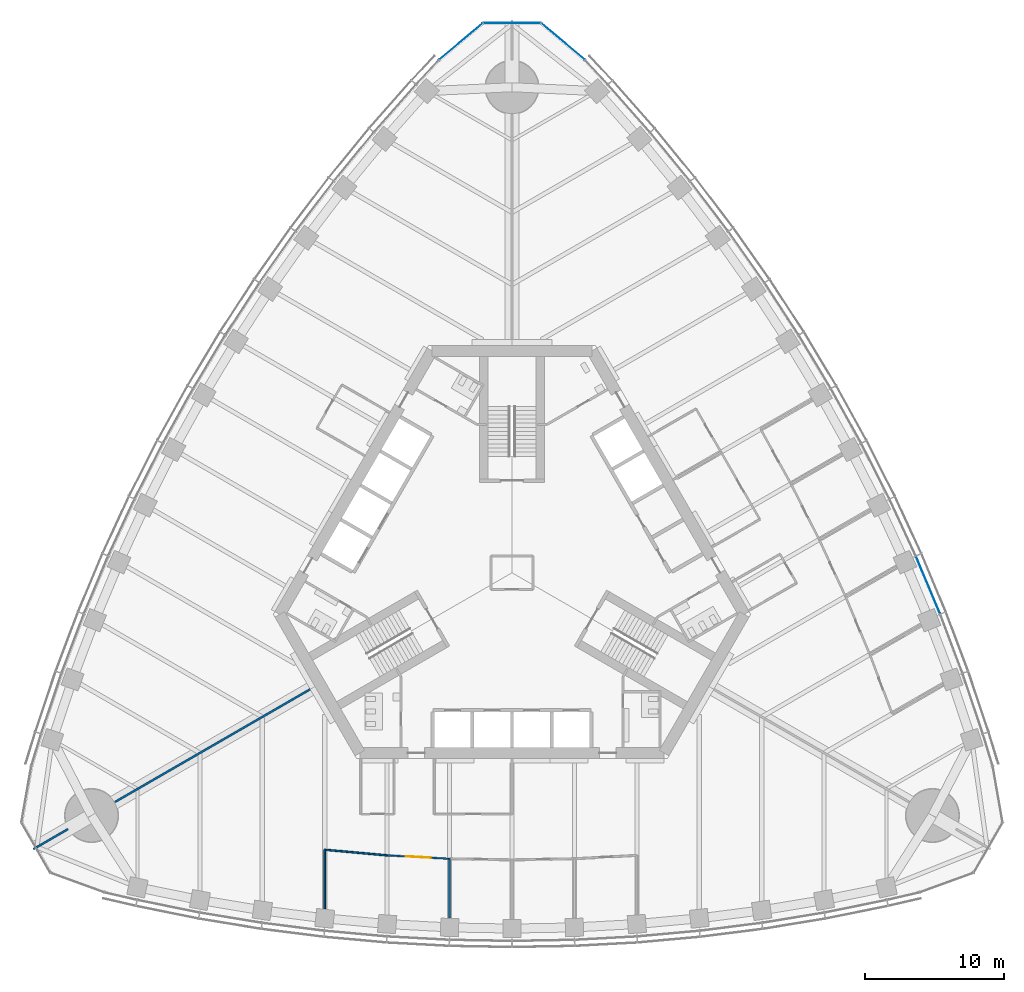
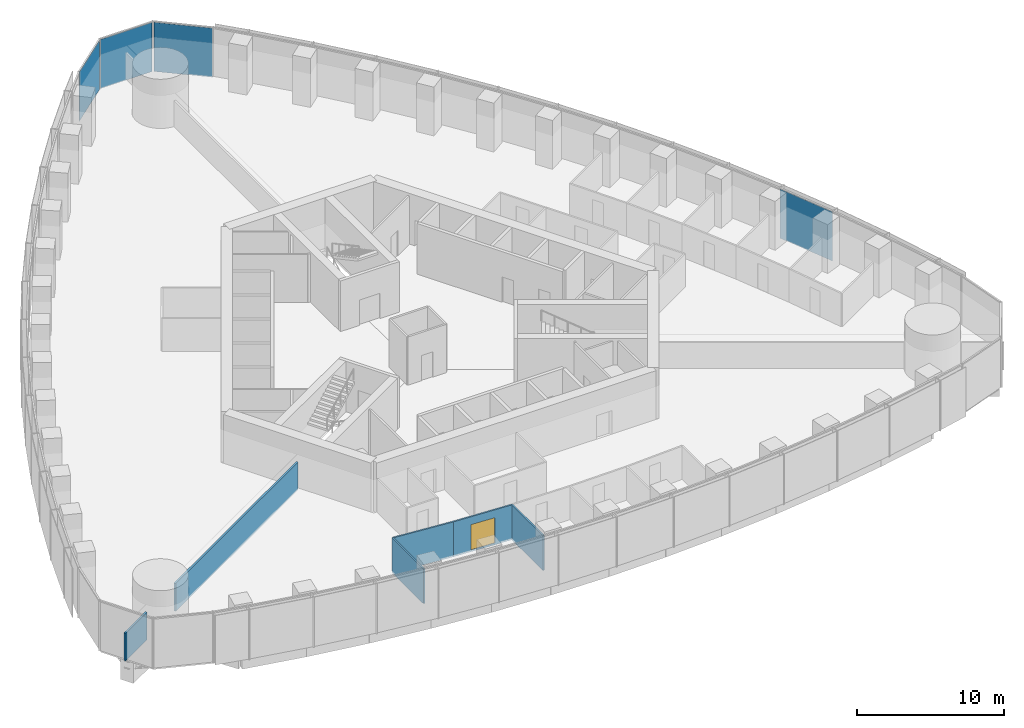
# One storey, part 11 of 19: 6 walls, 4 plates, 1 door, 1 opening, 2 elements without a shape of their own.
"""IFC4 building model written with IfcOpenShell, lengths in metres."""

import ifcopenshell
import ifcopenshell.guid

model = None  # the IFC model being written
_history = None  # IfcOwnerHistory: only IFC2X3 demands one
_inside = {}  # id of a spatial element -> (the spatial element, [elements in it])
_under = {}  # id of a project, library or spatial element -> (it, [spatial elements below it])
_declared = {}  # id of a project -> (the project, [libraries it declares])
_typed = {}  # id of a type object -> (the type object, [elements of that type])
_made_of = {}  # id of a material, layer set ... -> (it, [elements and type objects made of it])


def new_model(schema):
    """Start an empty IFC model of exactly this schema.

    Asked for "IFC4X3", IfcOpenShell would pick the latest addendum, in which some entities
    have other attributes; the version numbers below select the first issue.
    IFC2X3 requires an IfcOwnerHistory on every rooted entity: one is made here for all.
    """
    global model, _history
    if schema == "IFC4X3":
        model = ifcopenshell.file(schema_version=(4, 3, 0, 0))
    else:
        model = ifcopenshell.file(schema=schema)
    _inside.clear()
    _under.clear()
    _declared.clear()
    _typed.clear()
    _made_of.clear()
    _history = None
    if model.schema == "IFC2X3":
        org = make("IfcOrganization", Name="unknown")
        user = make(
            "IfcPersonAndOrganization",
            ThePerson=make("IfcPerson", FamilyName="unknown"),
            TheOrganization=org,
        )
        app = make(
            "IfcApplication",
            ApplicationDeveloper=org,
            Version="unknown",
            ApplicationFullName="unknown",
            ApplicationIdentifier="unknown",
        )
        _history = make(
            "IfcOwnerHistory",
            OwningUser=user,
            OwningApplication=app,
            ChangeAction="ADDED",
            CreationDate=0,
        )
    return model


def make(cls, **values):
    """One entity of the class cls with the attributes given. An attribute that is None is left unset."""
    return model.create_entity(
        cls, **{name: value for name, value in values.items() if value is not None}
    )


def rooted(cls, **values):
    """An entity with a GlobalId (a new one), such as an element, a storey or a relation."""
    return make(cls, GlobalId=ifcopenshell.guid.new(), OwnerHistory=_history, **values)


def si_unit(unit_type, name, prefix=None):
    """IfcSIUnit, for example si_unit("LENGTHUNIT", "METRE", prefix="MILLI")."""
    return make("IfcSIUnit", UnitType=unit_type, Prefix=prefix, Name=name)


def assignment(units):
    """IfcUnitAssignment: the units of a project."""
    return None if units is None else make("IfcUnitAssignment", Units=units)


def point(xyz):
    """IfcCartesianPoint."""
    return None if xyz is None else make("IfcCartesianPoint", Coordinates=xyz)


def direction(xyz):
    """IfcDirection."""
    return None if xyz is None else make("IfcDirection", DirectionRatios=xyz)


def frame(location, z_axis=None, x_axis=None):
    """IfcAxis2Placement3D, a coordinate frame: its origin and axes. An axis left out is left unset."""
    return make(
        "IfcAxis2Placement3D",
        Location=point(location),
        Axis=direction(z_axis),
        RefDirection=direction(x_axis),
    )


def frame_2d(location, x_axis=None):
    """IfcAxis2Placement2D, a coordinate frame in the plane: its origin and x axis."""
    return make(
        "IfcAxis2Placement2D", Location=point(location), RefDirection=direction(x_axis)
    )


def origin():
    """The frame at (0, 0, 0) with its axes left unset."""
    return frame((0.0, 0.0, 0.0))


def origin_2d():
    """The frame at (0, 0) in the plane with its x axis left unset."""
    return frame_2d((0.0, 0.0))


def place(relative_to, where):
    """IfcLocalPlacement: puts the frame where relative to a parent placement (None: the world)."""
    return make(
        "IfcLocalPlacement", PlacementRelTo=relative_to, RelativePlacement=where
    )


def context(
    kind, dimensions, precision=None, world=None, true_north=None, identifier=None
):
    """IfcGeometricRepresentationContext, for example the 3D "Model" context."""
    return make(
        "IfcGeometricRepresentationContext",
        ContextIdentifier=identifier,
        ContextType=kind,
        CoordinateSpaceDimension=dimensions,
        Precision=precision,
        WorldCoordinateSystem=world,
        TrueNorth=true_north,
    )


def subcontext(parent, identifier, kind, view, scale=None):
    """IfcGeometricRepresentationSubContext, for example "Body" below "Model"."""
    return make(
        "IfcGeometricRepresentationSubContext",
        ContextIdentifier=identifier,
        ContextType=kind,
        ParentContext=parent,
        TargetScale=scale,
        TargetView=view,
    )


def project(units=None, contexts=None):
    """IfcProject with its units and contexts."""
    return rooted(
        "IfcProject",
        Name="project",
        RepresentationContexts=contexts,
        UnitsInContext=assignment(units),
    )


def spatial(cls, under=None, at=None, **own):
    """A site, building, storey or space (cls), placed at a placement, below another one or the project."""
    s = rooted(cls, ObjectPlacement=at, **own)
    if under is not None:
        _under.setdefault(under.id(), (under, []))[1].append(s)
    return s


def profile(cls, at=None, kind="AREA", **sizes):
    """A parametric profile (cls). Its sizes go by their IFC names, for example OverallWidth=200.0."""
    return make(cls, ProfileType=kind, Position=at, **sizes)


def rectangle(**sizes):
    """IfcRectangleProfileDef."""
    return profile("IfcRectangleProfileDef", **sizes)


def extrude(swept, where, along, depth):
    """IfcExtrudedAreaSolid: the profile swept, set in the frame where, extruded along a direction by depth."""
    return make(
        "IfcExtrudedAreaSolid",
        SweptArea=swept,
        Position=where,
        ExtrudedDirection=direction(along),
        Depth=depth,
    )


def shape(context_of_items, identifier, shape_type, items):
    """IfcShapeRepresentation: the items that make up one representation, for example the "Body"."""
    return make(
        "IfcShapeRepresentation",
        ContextOfItems=context_of_items,
        RepresentationIdentifier=identifier,
        RepresentationType=shape_type,
        Items=items,
    )


def material(Name=None, Category=None):
    """IfcMaterial."""
    return make("IfcMaterial", Name=Name, Category=Category)


def layer(
    of_material, thickness, ventilated=None, Name=None, Category=None, Priority=None
):
    """IfcMaterialLayer: one layer of a wall or slab, of a material (None: an air gap)."""
    return make(
        "IfcMaterialLayer",
        Material=of_material,
        LayerThickness=thickness,
        IsVentilated=ventilated,
        Name=Name,
        Category=Category,
        Priority=Priority,
    )


def layer_set(layers, Name=None):
    """IfcMaterialLayerSet."""
    return make("IfcMaterialLayerSet", MaterialLayers=layers, LayerSetName=Name)


def made_of(thing, what):
    """Note that an element or type object is made of a material, layer set ...; save() writes the relation."""
    if what is not None:
        _made_of.setdefault(what.id(), (what, []))[1].append(thing)
    return thing


def type_object(cls, material=None, **own):
    """A type object (cls), such as IfcWallType, which elements share."""
    return made_of(rooted(cls, **own), material)


def element(
    cls,
    number,
    at=None,
    inside=None,
    cuts=None,
    type_object=None,
    material=None,
    context=None,
    identifier="Body",
    shape_type=None,
    held_by="IfcProductDefinitionShape",
    body=None,
    shapes=None,
    **own,
):
    """One element of the class cls, such as IfcWall. Its Tag is "e" and its number.

    at: its placement. inside: the storey or other place that contains it. cuts: it is an
    opening in that element (IfcRelVoidsElement). A single representation is given by context,
    identifier, shape_type and body (its items); several are given by shapes. held_by: the class
    of the entity that holds the representations. save() writes the other relations.
    """
    e = rooted(cls, Tag="e%d" % number, ObjectPlacement=at, **own)
    if body is not None:
        shapes = [shape(context, identifier, shape_type, body)]
    if shapes is not None:
        e.Representation = make(held_by, Representations=shapes)
    if inside is not None:
        _inside.setdefault(inside.id(), (inside, []))[1].append(e)
    if cuts is not None:
        rooted(
            "IfcRelVoidsElement", RelatingBuildingElement=cuts, RelatedOpeningElement=e
        )
    if type_object is not None:
        _typed.setdefault(type_object.id(), (type_object, []))[1].append(e)
    return made_of(e, material)


def fill(opening, filler):
    """IfcRelFillsElement: the door or window that sits in an opening."""
    return rooted(
        "IfcRelFillsElement",
        RelatingOpeningElement=opening,
        RelatedBuildingElement=filler,
    )


def aggregate(whole, parts):
    """IfcRelAggregates: a whole, such as a stair, and the parts it consists of."""
    return rooted("IfcRelAggregates", RelatingObject=whole, RelatedObjects=parts)


def save(model, path):
    """Write the relations noted so far, then the file.

    IfcRelAggregates (storeys below a building ...), IfcRelContainedInSpatialStructure (elements
    in a storey), IfcRelDefinesByType, IfcRelAssociatesMaterial and IfcRelDeclares: one each for
    every whole, place, type object, material and project.
    """
    for whole, parts in _under.values():
        aggregate(whole, parts)
    for where, things in _inside.values():
        rooted(
            "IfcRelContainedInSpatialStructure",
            RelatedElements=things,
            RelatingStructure=where,
        )
    for kind, things in _typed.values():
        rooted("IfcRelDefinesByType", RelatedObjects=things, RelatingType=kind)
    for what, things in _made_of.values():
        rooted("IfcRelAssociatesMaterial", RelatedObjects=things, RelatingMaterial=what)
    for by, libraries in _declared.values():
        rooted("IfcRelDeclares", RelatingContext=by, RelatedDefinitions=libraries)
    model.write(path)


model = new_model("IFC4")

# Units and contexts
model_context = context("Model", 3, precision=1e-05, world=origin(), true_north=direction((0.0, 1.0)))
body_context = subcontext(model_context, "Body", "Model", "MODEL_VIEW")
ifc_project = project(units=[si_unit("LENGTHUNIT", "METRE"), si_unit("AREAUNIT", "SQUARE_METRE"), si_unit("VOLUMEUNIT", "CUBIC_METRE"), si_unit("PLANEANGLEUNIT", "RADIAN"), si_unit("MASSUNIT", "GRAM", prefix="KILO")], contexts=[model_context])

# Site, building, storey
site_placement = place(None, origin())
site = spatial("IfcSite", under=ifc_project, at=site_placement, CompositionType="ELEMENT")
building_placement = place(site_placement, origin())
building = spatial("IfcBuilding", under=site, at=building_placement, Name="Trefoil Bronze Tower", CompositionType="ELEMENT")
storey_placement = place(building_placement, frame((0.0, 0.0, 124.10009765625)))
storey = spatial("IfcBuildingStorey", under=building, at=storey_placement, Name="L28", CompositionType="ELEMENT", Elevation=124.10009765625)

# Curtain wall, plate
ifc_material_1 = material(Name="Tinted solar-control glass", Category="glass")
curtain_wall_type_1 = type_object("IfcCurtainWallType", Name="Bronze office curtain wall", PredefinedType="USERDEFINED", material=ifc_material_1)
curtain_wall_1_placement = place(storey_placement, origin())
curtain_wall_1 = element("IfcCurtainWall", 1, at=curtain_wall_1_placement, inside=storey, type_object=curtain_wall_type_1, Name="CW-A L28 F2", ObjectType="CURTAIN WALL", PredefinedType="USERDEFINED")
ifc_material_2 = material(Name="Tinted solar-control glass", Category="glass")
ifc_layer_1 = layer(ifc_material_2, 0.030029296875)
ifc_layer_set_1 = layer_set([ifc_layer_1], Name="Bronze office curtain wall glass panel")
plate_type_1 = type_object("IfcPlateType", Name="Bronze office curtain wall glass panel", PredefinedType="CURTAIN_PANEL", material=ifc_layer_set_1)
plate_1_placement = place(storey_placement, frame((29.99169921875, -0.885498046875, -0.000244140625), z_axis=(0.0, 0.0, 1.0), x_axis=(-0.386759234303, 0.922180727776, 0.0)))
plate_1 = element("IfcPlate", 2, at=plate_1_placement, type_object=plate_type_1, Name="CW-A L28 F2 panel 4", PredefinedType="CURTAIN_PANEL", context=body_context, shape_type="SweptSolid", body=[
    extrude(rectangle(XDim=4.456298828125, YDim=0.030029296875, at=origin_2d()), origin(), (0.0, 0.0, 1.0), 4.080078125),
])
aggregate(curtain_wall_1, [plate_1])

# Curtain wall, plates
ifc_material_3 = material(Name="Tinted solar-control glass", Category="glass")
curtain_wall_type_2 = type_object("IfcCurtainWallType", Name="Bronze rounded corner curtain wall", PredefinedType="USERDEFINED", material=ifc_material_3)
curtain_wall_2_placement = place(storey_placement, origin())
curtain_wall_2 = element("IfcCurtainWall", 3, at=curtain_wall_2_placement, inside=storey, type_object=curtain_wall_type_2, Name="CW-B L28 K2", ObjectType="CURTAIN WALL", PredefinedType="USERDEFINED")
ifc_material_4 = material(Name="Tinted solar-control glass", Category="glass")
ifc_layer_2 = layer(ifc_material_4, 0.030029296875)
ifc_layer_set_2 = layer_set([ifc_layer_2], Name="Bronze rounded corner curtain wall glass panel")
plate_type_2 = type_object("IfcPlateType", Name="Bronze rounded corner curtain wall glass panel", PredefinedType="CURTAIN_PANEL", material=ifc_layer_set_2)
plate_2_placement = place(storey_placement, frame((3.6884765625, 38.294921875, -0.000244140625), z_axis=(0.0, 0.0, 1.0), x_axis=(-0.766044443119, 0.642787609687, 0.0)))
plate_2 = element("IfcPlate", 4, at=plate_2_placement, type_object=plate_type_2, Name="CW-B L28 K2 panel 1", PredefinedType="CURTAIN_PANEL", context=body_context, shape_type="SweptSolid", body=[
    extrude(rectangle(XDim=4.044189453125, YDim=0.030029296875, at=origin_2d()), origin(), (0.0, 0.0, 1.0), 4.080078125),
])
plate_3_placement = place(storey_placement, frame((0.0, 39.637451171875, -0.000244140625), z_axis=(0.0, 0.0, 1.0), x_axis=(-1.0, 0.0, 0.0)))
plate_3 = element("IfcPlate", 5, at=plate_3_placement, type_object=plate_type_2, Name="CW-B L28 K2 panel 2", PredefinedType="CURTAIN_PANEL", context=body_context, shape_type="SweptSolid", body=[
    extrude(rectangle(XDim=4.044189453125, YDim=0.030029296875, at=origin_2d()), origin(), (0.0, 0.0, 1.0), 4.080078125),
])
plate_4_placement = place(storey_placement, frame((-3.6884765625, 38.294921875, -0.000244140625), z_axis=(0.0, 0.0, 1.0), x_axis=(-0.766044443119, -0.642787609687, 0.0)))
plate_4 = element("IfcPlate", 6, at=plate_4_placement, type_object=plate_type_2, Name="CW-B L28 K2 panel 3", PredefinedType="CURTAIN_PANEL", context=body_context, shape_type="SweptSolid", body=[
    extrude(rectangle(XDim=4.044189453125, YDim=0.030029296875, at=origin_2d()), origin(), (0.0, 0.0, 1.0), 4.080078125),
])
aggregate(curtain_wall_2, [plate_2, plate_3, plate_4])

# Wall
ifc_material_5 = material(Name="Glazed partition", Category="glass")
ifc_layer_3 = layer(ifc_material_5, 0.1201171875)
ifc_layer_set_3 = layer_set([ifc_layer_3], Name="Glazed partition 120")
wall_type_1 = type_object("IfcWallType", Name="Glazed partition 120", PredefinedType="PARTITIONING", material=ifc_layer_set_3)
wall_1_placement = place(storey_placement, frame((-13.5, -19.9677734375, 0.0), z_axis=(0.0, 0.0, 1.0), x_axis=(0.995930325215, -0.090126507295, 0.0)))
element("IfcWall", 7, at=wall_1_placement, inside=storey, type_object=wall_type_1, Name="Partition F1 L28", PredefinedType="PARTITIONING", context=body_context, shape_type="SweptSolid", body=[
    extrude(rectangle(XDim=4.518310546875, YDim=0.1201171875, at=frame_2d((2.25927734375, 0.0))), origin(), (0.0, 0.0, 1.0), 2.89990234375),
])

# Wall, opening, door
wall_2_placement = place(storey_placement, frame((-9.0, -20.375, 0.0), z_axis=(0.0, 0.0, 1.0), x_axis=(0.998537376538, -0.054065771581, 0.0)))
wall_2 = element("IfcWall", 8, at=wall_2_placement, inside=storey, type_object=wall_type_1, Name="Partition F1 L28", PredefinedType="PARTITIONING", context=body_context, shape_type="SweptSolid", body=[
    extrude(rectangle(XDim=4.506591796875, YDim=0.1201171875, at=frame_2d((2.25341796875, 0.0))), origin(), (0.0, 0.0, 1.0), 2.89990234375),
])
opening_placement = place(wall_2_placement, frame((1.35009765625, 0.0, 0.14990234375)))
opening = element("IfcOpeningElement", 9, at=opening_placement, cuts=wall_2, Name="Opening D10", PredefinedType="OPENING", context=body_context, shape_type="SweptSolid", body=[
    extrude(rectangle(XDim=1.800048828125, YDim=2.10009765625, at=frame_2d((0.89990234375, 1.050048828125))), frame((0.0, 0.070068359375, 0.0), z_axis=(0.0, -1.0, 0.0), x_axis=(1.0, 0.0, 0.0)), (0.0, 0.0, 1.0), 0.14013671875),
])
ifc_material_6 = material(Name="Timber door", Category="wood")
door_type = type_object("IfcDoorType", Name="Double door 1800", OperationType="DOUBLE_DOOR_SINGLE_SWING", PredefinedType="DOOR", material=ifc_material_6)
door_placement = place(opening_placement, frame((1.800048828125, 0.0, 0.0), z_axis=(0.0, 0.0, 1.0), x_axis=(-1.0, 0.0, 0.0)))
door = element("IfcDoor", 10, at=door_placement, inside=storey, type_object=door_type, Name="Kitchen and breakout door F1 L28", OperationType="DOUBLE_DOOR_SINGLE_SWING", OverallHeight=2.10009765625, OverallWidth=1.800048828125, PredefinedType="DOOR", context=body_context, shape_type="SweptSolid", body=[
    extrude(rectangle(XDim=1.800048828125, YDim=2.10009765625, at=frame_2d((0.89990234375, 1.050048828125))), frame((0.0, 0.02490234375, 0.0), z_axis=(0.0, -1.0, 0.0), x_axis=(1.0, 0.0, 0.0)), (0.0, 0.0, 1.0), 0.050048828125),
])
fill(opening, door)

# Walls
wall_3_placement = place(storey_placement, frame((-13.5, -19.9677734375, 0.0), z_axis=(0.0, 0.0, 1.0), x_axis=(0.0, -1.0, 0.0)))
element("IfcWall", 11, at=wall_3_placement, inside=storey, type_object=wall_type_1, Name="Partition F1 L28", PredefinedType="PARTITIONING", context=body_context, shape_type="SweptSolid", body=[
    extrude(rectangle(XDim=4.261474609375, YDim=0.1201171875, at=frame_2d((2.130859375, 0.0))), origin(), (0.0, 0.0, 1.0), 2.89990234375),
])
wall_4_placement = place(storey_placement, frame((-4.5, -20.61865234375, 0.0), z_axis=(0.0, 0.0, 1.0), x_axis=(0.0, -1.0, 0.0)))
element("IfcWall", 12, at=wall_4_placement, inside=storey, type_object=wall_type_1, Name="Partition F1 L28", PredefinedType="PARTITIONING", context=body_context, shape_type="SweptSolid", body=[
    extrude(rectangle(XDim=4.26904296875, YDim=0.1201171875, at=frame_2d((2.134521484375, 0.0))), origin(), (0.0, 0.0, 1.0), 2.89990234375),
])
ifc_material_7 = material(Name="Gypsum board on steel studs", Category="steel")
ifc_layer_4 = layer(ifc_material_7, 0.14990234375)
ifc_layer_set_4 = layer_set([ifc_layer_4], Name="Party wall 150")
wall_type_2 = type_object("IfcWallType", Name="Party wall 150", PredefinedType="PARTITIONING", material=ifc_layer_set_4)
wall_5_placement = place(storey_placement, frame((-14.202880859375, -8.199951171875, 0.0), z_axis=(0.0, 0.0, 1.0), x_axis=(-0.866024668836, -0.500001272966, 0.0)))
element("IfcWall", 13, at=wall_5_placement, inside=storey, type_object=wall_type_2, Name="Party wall K3 L28", PredefinedType="PARTITIONING", context=body_context, shape_type="SweptSolid", body=[
    extrude(rectangle(XDim=16.64990234375, YDim=0.14990234375, at=frame_2d((8.324951171875, 0.0))), origin(), (0.0, 0.0, 1.0), 2.2998046875),
])
wall_6_placement = place(storey_placement, frame((-31.999755859375, -18.47509765625, 0.0), z_axis=(0.0, 0.0, 1.0), x_axis=(-0.866042548026, -0.499970304126, 0.0)))
element("IfcWall", 14, at=wall_6_placement, inside=storey, type_object=wall_type_2, Name="Party wall K3 L28", PredefinedType="PARTITIONING", context=body_context, shape_type="SweptSolid", body=[
    extrude(rectangle(XDim=2.899169921875, YDim=0.14990234375, at=frame_2d((1.44970703125, 0.0))), origin(), (0.0, 0.0, 1.0), 2.2998046875),
])

save(model, "model.ifc")
